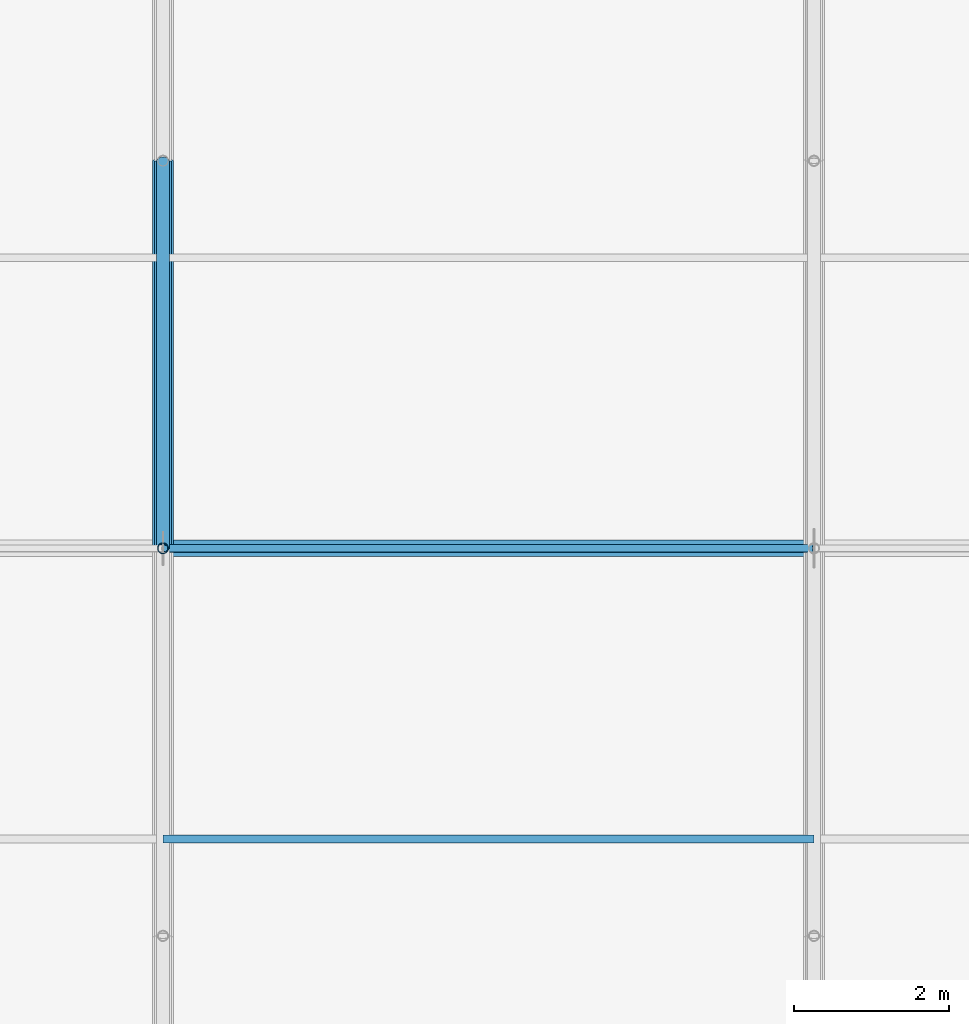
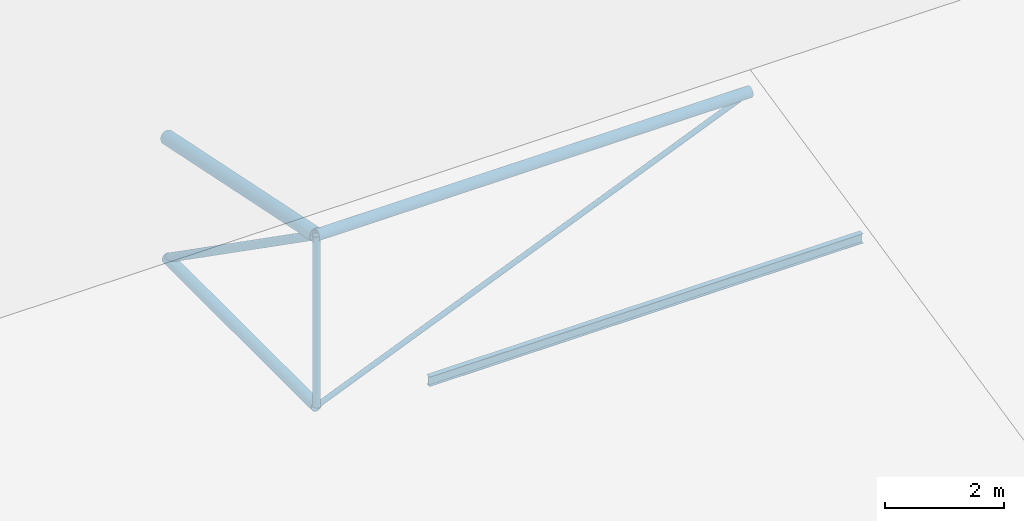
# One storey, part 74 of 194: 6 members, 1 beam.
"""IFC4 building model written with IfcOpenShell, lengths in metres."""

from ifc_helpers import new_model, si_unit, direction, frame, origin, origin_2d, place, context, subcontext, project, spatial, hollow_circle, i_section, extrude, material, material_profile, profile_set, type_object, element, save


model = new_model("IFC4")

# Units and contexts
model_context = context("Model", 3, precision=1e-05, world=origin(), true_north=direction((0.0, 1.0)))
body_context = subcontext(model_context, "Body", "Model", "MODEL_VIEW")
ifc_project = project(units=[si_unit("LENGTHUNIT", "METRE"), si_unit("AREAUNIT", "SQUARE_METRE"), si_unit("VOLUMEUNIT", "CUBIC_METRE"), si_unit("PLANEANGLEUNIT", "RADIAN"), si_unit("MASSUNIT", "GRAM", prefix="KILO")], contexts=[model_context])

# Site, building, storey
site_placement = place(None, origin())
site = spatial("IfcSite", under=ifc_project, at=site_placement, CompositionType="ELEMENT")
building_placement = place(site_placement, origin())
building = spatial("IfcBuilding", under=site, at=building_placement, Name="Kazenagashi Tramway Depot", CompositionType="ELEMENT")
storey_placement = place(building_placement, frame((0.0, 0.0, 23.7)))
storey = spatial("IfcBuildingStorey", under=building, at=storey_placement, Name="ROOF", CompositionType="ELEMENT", Elevation=23.7)

# Beam
ifc_material_1 = material(Name="Steel SN400B", Category="steel")
ifc_material_profile_1 = material_profile(ifc_material_1, i_section(OverallWidth=0.1, OverallDepth=0.2, WebThickness=0.0055, FlangeThickness=0.008, at=origin_2d()), Name="H-200x100x5.5x8")
ifc_profile_set_1 = profile_set([ifc_material_profile_1], Name="Steel SN400B")
beam_type = type_object("IfcBeamType", Name="PR-01", PredefinedType="USERDEFINED", material=ifc_profile_set_1)
beam_placement = place(storey_placement, frame((137.2, 81.25, -11.305), z_axis=(1.0, 0.0, 0.0), x_axis=(0.0, 1.0, 0.0)))
element("IfcBeam", 1, at=beam_placement, inside=storey, type_object=beam_type, Name="Beam PR-01 BM-2065", ObjectType="PURLIN", PredefinedType="USERDEFINED", context=body_context, shape_type="SweptSolid", body=[
    extrude(i_section(OverallWidth=0.1, OverallDepth=0.2, WebThickness=0.0055, FlangeThickness=0.008, at=origin_2d()), origin(), (0.0, 0.0, 1.0), 8.4),
])

# Members
ifc_material_2 = material(Name="Steel STK490", Category="steel")
ifc_material_profile_2 = material_profile(ifc_material_2, hollow_circle(Radius=0.1337, WallThickness=0.0093, at=origin_2d()), Name="CHS-267.4x9.3")
ifc_profile_set_2 = profile_set([ifc_material_profile_2], Name="Steel STK490")
member_type_1 = type_object("IfcMemberType", Name="TC-01", PredefinedType="CHORD", material=ifc_profile_set_2)
member_1_placement = place(storey_placement, frame((137.2, 85.0, -10.6), z_axis=(0.0, 0.979317999984, -0.202327098797), x_axis=(-1.0, 0.0, 0.0)))
element("IfcMember", 2, at=member_1_placement, inside=storey, type_object=member_type_1, Name="Tubular Space Frame TC-01 MEM-0681", PredefinedType="CHORD", context=body_context, shape_type="SweptSolid", body=[
    extrude(hollow_circle(Radius=0.1337, WallThickness=0.0093, at=origin_2d()), origin(), (0.0, 0.0, 1.0), 5.105594),
])
ifc_material_profile_3 = material_profile(ifc_material_2, hollow_circle(Radius=0.10815, WallThickness=0.0082, at=origin_2d()), Name="CHS-216.3x8.2")
ifc_profile_set_3 = profile_set([ifc_material_profile_3], Name="Steel STK490")
member_type_2 = type_object("IfcMemberType", Name="TC-02", PredefinedType="CHORD", material=ifc_profile_set_3)
member_2_placement = place(storey_placement, frame((137.2, 85.0, -14.1), z_axis=(0.0, 1.0, 0.0), x_axis=(-1.0, 0.0, 0.0)))
element("IfcMember", 3, at=member_2_placement, inside=storey, type_object=member_type_2, Name="Tubular Space Frame TC-02 MEM-0682", PredefinedType="CHORD", context=body_context, shape_type="SweptSolid", body=[
    extrude(hollow_circle(Radius=0.10815, WallThickness=0.0082, at=origin_2d()), origin(), (0.0, 0.0, 1.0), 5.0),
])
member_3_placement = place(storey_placement, frame((137.2, 85.0, -10.6), z_axis=(1.0, 0.0, 0.0), x_axis=(0.0, 1.0, 0.0)))
element("IfcMember", 4, at=member_3_placement, inside=storey, type_object=member_type_2, Name="Tubular Space Frame TC-02 MEM-0699", PredefinedType="CHORD", context=body_context, shape_type="SweptSolid", body=[
    extrude(hollow_circle(Radius=0.10815, WallThickness=0.0082, at=origin_2d()), origin(), (0.0, 0.0, 1.0), 8.4),
])
ifc_material_profile_4 = material_profile(ifc_material_2, hollow_circle(Radius=0.0826, WallThickness=0.0071, at=origin_2d()), Name="CHS-165.2x7.1")
ifc_profile_set_4 = profile_set([ifc_material_profile_4], Name="Steel STK490")
member_type_3 = type_object("IfcMemberType", Name="TS-01", PredefinedType="STRUT", material=ifc_profile_set_4)
member_4_placement = place(storey_placement, frame((137.2, 85.0, -10.6), z_axis=(0.0, 0.819231920519, -0.573462344363), x_axis=(-1.0, 0.0, 0.0)))
element("IfcMember", 5, at=member_4_placement, inside=storey, type_object=member_type_3, Name="Tubular Space Frame TS-01 MEM-0683", PredefinedType="STRUT", context=body_context, shape_type="SweptSolid", body=[
    extrude(hollow_circle(Radius=0.0826, WallThickness=0.0071, at=origin_2d()), origin(), (0.0, 0.0, 1.0), 6.103278),
])
ifc_material_profile_5 = material_profile(ifc_material_2, hollow_circle(Radius=0.0699, WallThickness=0.0066, at=origin_2d()), Name="CHS-139.8x6.6")
ifc_profile_set_5 = profile_set([ifc_material_profile_5], Name="Steel STK490")
member_type_4 = type_object("IfcMemberType", Name="TS-02", PredefinedType="STRUT", material=ifc_profile_set_5)
member_5_placement = place(storey_placement, frame((137.2, 85.0, -14.1), z_axis=(0.0, 0.0, 1.0), x_axis=(1.0, 0.0, 0.0)))
element("IfcMember", 6, at=member_5_placement, inside=storey, type_object=member_type_4, Name="Tubular Space Frame TS-02 MEM-0693", PredefinedType="STRUT", context=body_context, shape_type="SweptSolid", body=[
    extrude(hollow_circle(Radius=0.0699, WallThickness=0.0066, at=origin_2d()), origin(), (0.0, 0.0, 1.0), 3.5),
])
ifc_material_3 = material(Name="Steel STK400", Category="steel")
ifc_material_profile_6 = material_profile(ifc_material_3, hollow_circle(Radius=0.0508, WallThickness=0.0042, at=origin_2d()), Name="CHS-101.6x4.2")
ifc_profile_set_6 = profile_set([ifc_material_profile_6], Name="Steel STK400")
member_type_5 = type_object("IfcMemberType", Name="TS-06", PredefinedType="STRUT", material=ifc_profile_set_6)
member_6_placement = place(storey_placement, frame((137.2, 85.0, -14.1), z_axis=(0.923076923077, 0.0, 0.384615384615), x_axis=(0.0, 1.0, 0.0)))
element("IfcMember", 7, at=member_6_placement, inside=storey, type_object=member_type_5, Name="Tubular Space Frame TS-06 MEM-0700", PredefinedType="STRUT", context=body_context, shape_type="SweptSolid", body=[
    extrude(hollow_circle(Radius=0.0508, WallThickness=0.0042, at=origin_2d()), origin(), (0.0, 0.0, 1.0), 9.1),
])

save(model, "model.ifc")
